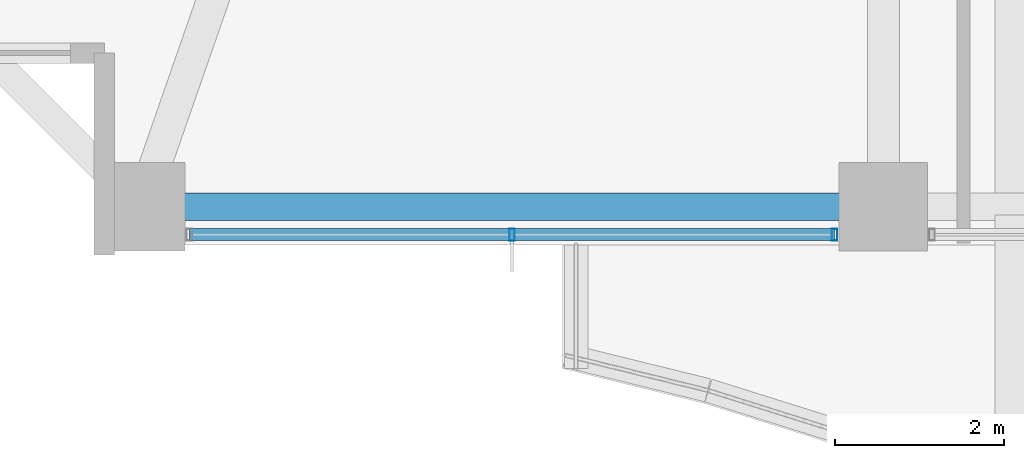
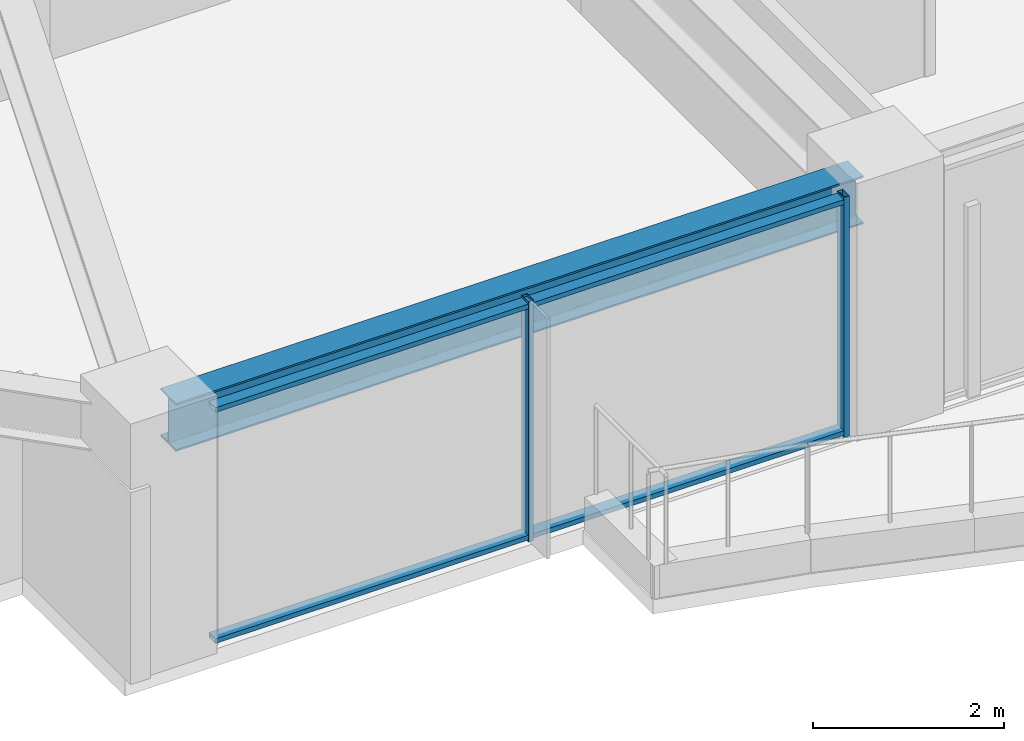
# One storey, part 3 of 38: 4 members, 1 beam, 1 element without a shape of its own.
"""IFC4 building model written with IfcOpenShell, lengths in metres."""

from ifc_helpers import new_model, si_unit, direction, frame, origin, origin_2d, place, context, subcontext, project, spatial, hollow_rectangle, i_section, extrude, material, material_profile, profile_set, type_object, element, aggregate, save


model = new_model("IFC4")

# Units and contexts
model_context = context("Model", 3, precision=1e-05, world=origin(), true_north=direction((0.0, 1.0)))
body_context = subcontext(model_context, "Body", "Model", "MODEL_VIEW")
ifc_project = project(units=[si_unit("LENGTHUNIT", "METRE"), si_unit("AREAUNIT", "SQUARE_METRE"), si_unit("VOLUMEUNIT", "CUBIC_METRE"), si_unit("PLANEANGLEUNIT", "RADIAN"), si_unit("MASSUNIT", "GRAM", prefix="KILO")], contexts=[model_context])

# Site, building, storey
site_placement = place(None, origin())
site = spatial("IfcSite", under=ifc_project, at=site_placement, CompositionType="ELEMENT")
building_placement = place(site_placement, origin())
building = spatial("IfcBuilding", under=site, at=building_placement, Name="Kolvaren Belvedere", CompositionType="ELEMENT")
storey_placement = place(building_placement, frame((0.0, 0.0, 98.60009765625)))
storey = spatial("IfcBuildingStorey", under=building, at=storey_placement, Name="L28", CompositionType="ELEMENT", Elevation=98.60009765625)

# Beam
ifc_material_1 = material(Name="Structural steel ASTM A992 Grade 50", Category="steel")
ifc_material_profile_1 = material_profile(ifc_material_1, i_section(OverallWidth=0.324951171875, OverallDepth=0.615966796875, WebThickness=0.013916015625, FlangeThickness=0.021484375, FilletRadius=0.02001953125, at=origin_2d()), Name="W24X117")
ifc_profile_set_1 = profile_set([ifc_material_profile_1], Name="Structural steel ASTM A992 Grade 50")
beam_type = type_object("IfcBeamType", Name="BM-SPAN-W24X117", PredefinedType="SPANDREL", material=ifc_profile_set_1)
beam_placement = place(storey_placement, frame((-13.163818359375, -19.949951171875, 2.77197265625), z_axis=(1.0, 0.0, 0.0), x_axis=(0.0, 1.0, 0.0)))
element("IfcBeam", 1, at=beam_placement, inside=storey, type_object=beam_type, Name="L28 Perimeter Spandrel S1-S2", PredefinedType="SPANDREL", context=body_context, shape_type="SweptSolid", body=[
    extrude(i_section(OverallWidth=0.324951171875, OverallDepth=0.615966796875, WebThickness=0.013916015625, FlangeThickness=0.021484375, FilletRadius=0.02001953125, at=origin_2d()), origin(), (0.0, 0.0, 1.0), 8.32763671875),
])

# Curtain wall, members
ifc_material_2 = material(Name="Anodised pale-metal aluminium AA 6063-T6", Category="aluminium")
curtain_wall_type = type_object("IfcCurtainWallType", Name="CW-Z2-MID", PredefinedType="NOTDEFINED", material=ifc_material_2)
curtain_wall_placement = place(storey_placement, origin())
curtain_wall = element("IfcCurtainWall", 2, at=curtain_wall_placement, inside=storey, type_object=curtain_wall_type, Name="L28 Unitised Curtain Wall FCW-L28-S2-B2", PredefinedType="NOTDEFINED")
ifc_material_3 = material(Name="Anodised pale-metal aluminium AA 6063-T6", Category="aluminium")
ifc_material_profile_2 = material_profile(ifc_material_3, hollow_rectangle(XDim=0.06494140625, YDim=0.139892578125, WallThickness=0.00390625, at=origin_2d()), Name="ALU-MUL-140X65")
ifc_profile_set_2 = profile_set([ifc_material_profile_2], Name="Anodised pale-metal aluminium AA 6063-T6")
member_type_1 = type_object("IfcMemberType", Name="CW-MUL-140", PredefinedType="MULLION", material=ifc_profile_set_2)
member_1_placement = place(storey_placement, frame((-5.177490234375, -20.280029296875, 0.0), z_axis=(0.0, 0.0, 1.0), x_axis=(1.0, 0.0, 0.0)))
member_1 = element("IfcMember", 3, at=member_1_placement, type_object=member_type_1, Name="FCW-L28-S2-B2 Unitised Mullion 1", PredefinedType="MULLION", context=body_context, shape_type="SweptSolid", body=[
    extrude(hollow_rectangle(XDim=0.06494140625, YDim=0.139892578125, WallThickness=0.00390625, at=origin_2d()), origin(), (0.0, 0.0, 1.0), 3.079833984375),
])
member_2_placement = place(storey_placement, frame((-9.0, -20.280029296875, 0.0), z_axis=(0.0, 0.0, 1.0), x_axis=(1.0, 0.0, 0.0)))
member_2 = element("IfcMember", 4, at=member_2_placement, type_object=member_type_1, Name="FCW-L28-S2-B2 Unitised Mullion 2", PredefinedType="MULLION", context=body_context, shape_type="SweptSolid", body=[
    extrude(hollow_rectangle(XDim=0.06494140625, YDim=0.139892578125, WallThickness=0.00390625, at=origin_2d()), origin(), (0.0, 0.0, 1.0), 3.079833984375),
])
ifc_material_4 = material(Name="Anodised pale-metal aluminium AA 6063-T6", Category="aluminium")
ifc_material_profile_3 = material_profile(ifc_material_4, hollow_rectangle(XDim=0.06005859375, YDim=0.139892578125, WallThickness=0.00390625, at=origin_2d()), Name="ALU-TRN-140X60")
ifc_profile_set_3 = profile_set([ifc_material_profile_3], Name="Anodised pale-metal aluminium AA 6063-T6")
member_type_2 = type_object("IfcMemberType", Name="CW-TRN-140", PredefinedType="USERDEFINED", material=ifc_profile_set_3)
member_3_placement = place(storey_placement, frame((-5.177490234375, -20.280029296875, 0.059814453125), z_axis=(-1.0, 0.0, 0.0), x_axis=(0.0, 0.0, 1.0)))
member_3 = element("IfcMember", 5, at=member_3_placement, type_object=member_type_2, Name="FCW-L28-S2-B2 Sill Transom", ObjectType="TRANSOM", PredefinedType="USERDEFINED", context=body_context, shape_type="SweptSolid", body=[
    extrude(hollow_rectangle(XDim=0.06005859375, YDim=0.139892578125, WallThickness=0.00390625, at=origin_2d()), origin(), (0.0, 0.0, 1.0), 7.64501953125),
])
member_4_placement = place(storey_placement, frame((-5.177490234375, -20.280029296875, 3.02001953125), z_axis=(-1.0, 0.0, 0.0), x_axis=(0.0, 0.0, 1.0)))
member_4 = element("IfcMember", 6, at=member_4_placement, type_object=member_type_2, Name="FCW-L28-S2-B2 Head Transom", ObjectType="TRANSOM", PredefinedType="USERDEFINED", context=body_context, shape_type="SweptSolid", body=[
    extrude(hollow_rectangle(XDim=0.06005859375, YDim=0.139892578125, WallThickness=0.00390625, at=origin_2d()), origin(), (0.0, 0.0, 1.0), 7.64501953125),
])
aggregate(curtain_wall, [member_1, member_2, member_3, member_4])

save(model, "model.ifc")
